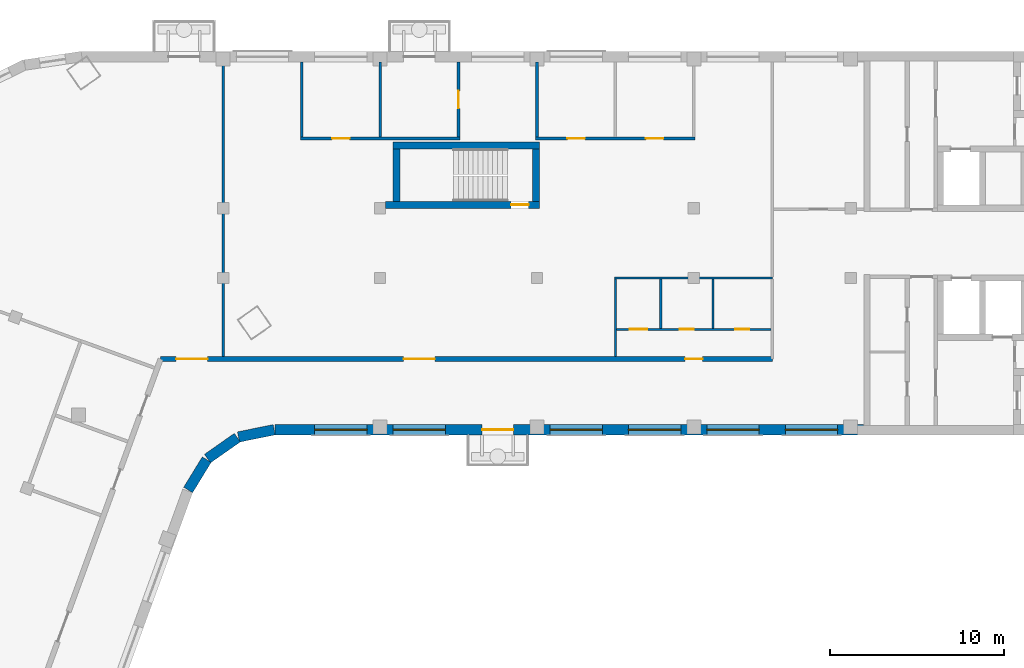
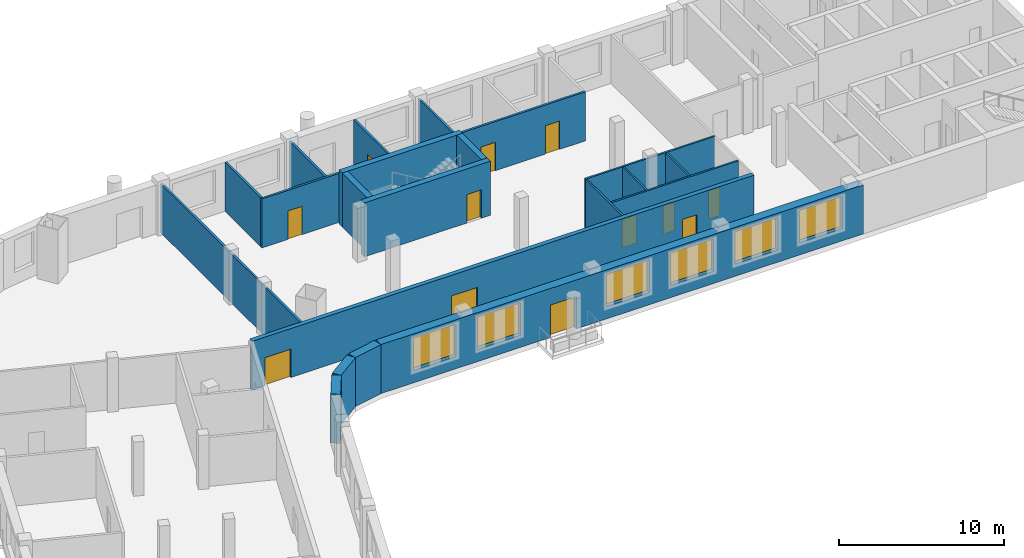
# One storey, part 4 of 10: 21 walls, 12 doors, 6 windows, 18 openings.
"""IFC4 building model written with IfcOpenShell, lengths in metres."""

from ifc_helpers import new_model, si_unit, direction, frame, frame_2d, origin, place, context, subcontext, project, spatial, rectangle, extrude, material, layer, layer_set, type_object, element, fill, save


model = new_model("IFC4")

# Units and contexts
model_context = context("Model", 3, precision=1e-05, world=origin(), true_north=direction((0.0, 1.0)))
body_context = subcontext(model_context, "Body", "Model", "MODEL_VIEW")
ifc_project = project(units=[si_unit("LENGTHUNIT", "METRE"), si_unit("AREAUNIT", "SQUARE_METRE"), si_unit("VOLUMEUNIT", "CUBIC_METRE"), si_unit("PLANEANGLEUNIT", "RADIAN"), si_unit("MASSUNIT", "GRAM", prefix="KILO")], contexts=[model_context])

# Site, building, storey
site_placement = place(None, origin())
site = spatial("IfcSite", under=ifc_project, at=site_placement, CompositionType="ELEMENT")
building_placement = place(site_placement, origin())
building = spatial("IfcBuilding", under=site, at=building_placement, Name="Skarvind Civic Tower", CompositionType="ELEMENT")
storey_placement = place(building_placement, frame((0.0, 0.0, 166.5)))
storey = spatial("IfcBuildingStorey", under=building, at=storey_placement, Name="L39", CompositionType="ELEMENT", Elevation=166.5)

# Wall, openings, doors
ifc_material_1 = material(Name="Fire-rated gypsum board on steel studs", Category="steel")
ifc_layer_1 = layer(ifc_material_1, 0.300048828125)
ifc_layer_set_1 = layer_set([ifc_layer_1], Name="CORRIDOR WALL 300")
wall_type_1 = type_object("IfcWallType", Name="CORRIDOR WALL 300", PredefinedType="PARTITIONING", material=ifc_layer_set_1)
wall_1_placement = place(storey_placement, frame((50.656982421875, 121.35009765625, 0.0), z_axis=(0.0, 0.0, 1.0), x_axis=(1.0, 0.0, 0.0)))
wall_1 = element("IfcWall", 1, at=wall_1_placement, inside=storey, type_object=wall_type_1, Name="Partition 39.014", PredefinedType="PARTITIONING", context=body_context, shape_type="SweptSolid", body=[
    extrude(rectangle(XDim=35.095947265625, YDim=0.300048828125, at=frame_2d((17.5478515625, 0.0))), origin(), (0.0, 0.0, 1.0), 3.625),
])
opening_1_placement = place(wall_1_placement, frame((30.093017578125, 0.0, 0.0)))
opening_1 = element("IfcOpeningElement", 2, at=opening_1_placement, cuts=wall_1, Name="Opening L39-D002", PredefinedType="OPENING", context=body_context, shape_type="SweptSolid", body=[
    extrude(rectangle(XDim=1.0, YDim=2.10009765625, at=frame_2d((0.5, 1.050048828125))), frame((0.0, 0.159912109375, 0.0), z_axis=(0.0, -1.0, 0.0), x_axis=(1.0, 0.0, 0.0)), (0.0, 0.0, 1.0), 0.320068359375),
])
opening_2_placement = place(wall_1_placement, frame((13.943115234375, 0.0, 0.0)))
opening_2 = element("IfcOpeningElement", 3, at=opening_2_placement, cuts=wall_1, Name="Opening L39-D010", PredefinedType="OPENING", context=body_context, shape_type="SweptSolid", body=[
    extrude(rectangle(XDim=1.800048828125, YDim=2.10009765625, at=frame_2d((0.89990234375, 1.050048828125))), frame((0.0, 0.159912109375, 0.0), z_axis=(0.0, -1.0, 0.0), x_axis=(1.0, 0.0, 0.0)), (0.0, 0.0, 1.0), 0.320068359375),
])
opening_3_placement = place(wall_1_placement, frame((0.89599609375, 0.0, 0.0)))
opening_3 = element("IfcOpeningElement", 4, at=opening_3_placement, cuts=wall_1, Name="Opening L39-D017", PredefinedType="OPENING", context=body_context, shape_type="SweptSolid", body=[
    extrude(rectangle(XDim=1.800048828125, YDim=2.10009765625, at=frame_2d((0.89990234375, 1.050048828125))), frame((0.0, 0.159912109375, 0.0), z_axis=(0.0, -1.0, 0.0), x_axis=(1.0, 0.0, 0.0)), (0.0, 0.0, 1.0), 0.320068359375),
])
ifc_material_2 = material(Name="Fire-rated timber door leaf", Category="wood")
door_type_1 = type_object("IfcDoorType", Name="FD1 1000x2100", OperationType="NOTDEFINED", PredefinedType="DOOR", material=ifc_material_2)
door_1_placement = place(opening_1_placement, origin())
door_1 = element("IfcDoor", 5, at=door_1_placement, inside=storey, type_object=door_type_1, Name="Door L39-D002", OperationType="SINGLE_SWING_LEFT", OverallHeight=2.10009765625, OverallWidth=1.0, PredefinedType="DOOR", context=body_context, shape_type="SweptSolid", body=[
    extrude(rectangle(XDim=1.0, YDim=2.10009765625, at=frame_2d((0.5, 1.050048828125))), frame((0.0, 0.02490234375, 0.0), z_axis=(0.0, -1.0, 0.0), x_axis=(1.0, 0.0, 0.0)), (0.0, 0.0, 1.0), 0.050048828125),
])
fill(opening_1, door_1)
door_type_2 = type_object("IfcDoorType", Name="FD4 1800x2100", OperationType="NOTDEFINED", PredefinedType="DOOR", material=ifc_material_2)
door_2_placement = place(opening_2_placement, origin())
door_2 = element("IfcDoor", 6, at=door_2_placement, inside=storey, type_object=door_type_2, Name="Door L39-D010", OperationType="DOUBLE_DOOR_SINGLE_SWING", OverallHeight=2.10009765625, OverallWidth=1.800048828125, PredefinedType="DOOR", context=body_context, shape_type="SweptSolid", body=[
    extrude(rectangle(XDim=1.800048828125, YDim=2.10009765625, at=frame_2d((0.89990234375, 1.050048828125))), frame((0.0, 0.02490234375, 0.0), z_axis=(0.0, -1.0, 0.0), x_axis=(1.0, 0.0, 0.0)), (0.0, 0.0, 1.0), 0.050048828125),
])
fill(opening_2, door_2)
door_3_placement = place(opening_3_placement, origin())
door_3 = element("IfcDoor", 7, at=door_3_placement, inside=storey, type_object=door_type_2, Name="Door L39-D017", OperationType="DOUBLE_DOOR_SINGLE_SWING", OverallHeight=2.10009765625, OverallWidth=1.800048828125, PredefinedType="DOOR", context=body_context, shape_type="SweptSolid", body=[
    extrude(rectangle(XDim=1.800048828125, YDim=2.10009765625, at=frame_2d((0.89990234375, 1.050048828125))), frame((0.0, 0.02490234375, 0.0), z_axis=(0.0, -1.0, 0.0), x_axis=(1.0, 0.0, 0.0)), (0.0, 0.0, 1.0), 0.050048828125),
])
fill(opening_3, door_3)

# Wall, opening, door
ifc_material_3 = material(Name="Concrete C60", Category="concrete")
ifc_layer_2 = layer(ifc_material_3, 0.39990234375)
ifc_layer_set_2 = layer_set([ifc_layer_2], Name="Core wall 400 C60")
wall_type_2 = type_object("IfcWallType", Name="Core wall 400 C60", PredefinedType="SHEAR", material=ifc_layer_set_2)
wall_2_placement = place(storey_placement, frame((63.574951171875, 130.199951171875, 0.0), z_axis=(0.0, 0.0, 1.0), x_axis=(1.0, 0.0, 0.0)))
wall_2 = element("IfcWall", 8, at=wall_2_placement, inside=storey, type_object=wall_type_2, Name="Core wall CM inner L39", PredefinedType="SHEAR", context=body_context, shape_type="SweptSolid", body=[
    extrude(rectangle(XDim=8.824951171875, YDim=0.39990234375, at=frame_2d((4.41259765625, 0.0))), origin(), (0.0, 0.0, 1.0), 4.0),
])
opening_4_placement = place(wall_2_placement, frame((7.199951171875, 0.0, 0.0)))
opening_4 = element("IfcOpeningElement", 9, at=opening_4_placement, cuts=wall_2, Name="Opening D-L39-CM-01", PredefinedType="OPENING", context=body_context, shape_type="SweptSolid", body=[
    extrude(rectangle(XDim=1.0, YDim=2.10009765625, at=frame_2d((0.5, 1.050048828125))), frame((0.0, 0.2099609375, 0.0), z_axis=(0.0, -1.0, 0.0), x_axis=(1.0, 0.0, 0.0)), (0.0, 0.0, 1.0), 0.419921875),
])
ifc_material_4 = material(Name="Fire-rated steel door", Category="steel")
door_type_3 = type_object("IfcDoorType", Name="Fire door 1000", OperationType="NOTDEFINED", PredefinedType="DOOR", material=ifc_material_4)
door_4_placement = place(opening_4_placement, origin())
door_4 = element("IfcDoor", 10, at=door_4_placement, inside=storey, type_object=door_type_3, Name="Fire door", OperationType="SINGLE_SWING_LEFT", OverallHeight=2.10009765625, OverallWidth=1.0, PredefinedType="DOOR", context=body_context, shape_type="SweptSolid", body=[
    extrude(rectangle(XDim=1.0, YDim=2.10009765625, at=frame_2d((0.5, 1.050048828125))), frame((0.0, 0.02490234375, 0.0), z_axis=(0.0, -1.0, 0.0), x_axis=(1.0, 0.0, 0.0)), (0.0, 0.0, 1.0), 0.050048828125),
])
fill(opening_4, door_4)

# Walls
wall_3_placement = place(storey_placement, frame((64.0, 133.60009765625, 0.0), z_axis=(0.0, 0.0, 1.0), x_axis=(1.0, 0.0, 0.0)))
element("IfcWall", 11, at=wall_3_placement, inside=storey, type_object=wall_type_2, Name="Core wall CM outer L39", PredefinedType="SHEAR", context=body_context, shape_type="SweptSolid", body=[
    extrude(rectangle(XDim=8.39990234375, YDim=0.39990234375, at=frame_2d((4.199951171875, 0.0))), origin(), (0.0, 0.0, 1.0), 4.0),
])
for number, where, z_axis, x_axis, name in (
    (12, (64.199951171875, 130.39990234375, 0.0), (0.0, 0.0, 1.0), (0.0, 1.0, 0.0), "Core wall CM west L39"),
    (13, (72.199951171875, 130.39990234375, 0.0), (0.0, 0.0, 1.0), (0.0, 1.0, 0.0), "Core wall CM end L39"),
):
    element("IfcWall", number, at=place(storey_placement, frame(where, z_axis=z_axis, x_axis=x_axis)), inside=storey, type_object=wall_type_2, Name=name, PredefinedType="SHEAR", context=body_context, shape_type="SweptSolid", body=[
        extrude(rectangle(XDim=3.0, YDim=0.39990234375, at=frame_2d((1.5, 0.0))), origin(), (0.0, 0.0, 1.0), 4.0),
    ])
ifc_material_5 = material(Name="Plasterboard partition on steel studs", Category="steel")
ifc_layer_3 = layer(ifc_material_5, 0.14990234375)
ifc_layer_set_3 = layer_set([ifc_layer_3], Name="PARTITION 150")
wall_type_3 = type_object("IfcWallType", Name="PARTITION 150", PredefinedType="PARTITIONING", material=ifc_layer_set_3)
wall_4_placement = place(storey_placement, frame((54.25, 138.39990234375, 0.0), z_axis=(0.0, 0.0, 1.0), x_axis=(0.0, -1.0, 0.0)))
element("IfcWall", 14, at=wall_4_placement, inside=storey, type_object=wall_type_3, Name="Partition 39.015", PredefinedType="PARTITIONING", context=body_context, shape_type="SweptSolid", body=[
    extrude(rectangle(XDim=16.89990234375, YDim=0.14990234375, at=frame_2d((8.449951171875, 0.0))), origin(), (0.0, 0.0, 1.0), 3.625),
])
wall_5_placement = place(storey_placement, frame((58.75, 134.074951171875, 0.0), z_axis=(0.0, 0.0, 1.0), x_axis=(0.0, 1.0, 0.0)))
element("IfcWall", 15, at=wall_5_placement, inside=storey, type_object=wall_type_3, Name="Partition 39.016", PredefinedType="PARTITIONING", context=body_context, shape_type="SweptSolid", body=[
    extrude(rectangle(XDim=4.324951171875, YDim=0.14990234375, at=frame_2d((2.16259765625, 0.0))), origin(), (0.0, 0.0, 1.0), 3.625),
])

# Wall, opening, door
wall_6_placement = place(storey_placement, frame((67.824951171875, 134.0, 0.0), z_axis=(0.0, 0.0, 1.0), x_axis=(-1.0, 0.0, 0.0)))
wall_6 = element("IfcWall", 16, at=wall_6_placement, inside=storey, type_object=wall_type_3, Name="Partition 39.017", PredefinedType="PARTITIONING", context=body_context, shape_type="SweptSolid", body=[
    extrude(rectangle(XDim=9.14990234375, YDim=0.14990234375, at=frame_2d((4.574951171875, 0.0))), origin(), (0.0, 0.0, 1.0), 3.625),
])
opening_5_placement = place(wall_6_placement, frame((6.324951171875, 0.0, 0.0)))
opening_5 = element("IfcOpeningElement", 17, at=opening_5_placement, cuts=wall_6, Name="Opening L39-D009", PredefinedType="OPENING", context=body_context, shape_type="SweptSolid", body=[
    extrude(rectangle(XDim=1.0, YDim=2.10009765625, at=frame_2d((0.5, 1.050048828125))), frame((0.0, 0.0849609375, 0.0), z_axis=(0.0, -1.0, 0.0), x_axis=(1.0, 0.0, 0.0)), (0.0, 0.0, 1.0), 0.169921875),
])
ifc_material_6 = material(Name="Timber door leaf", Category="wood")
door_type_4 = type_object("IfcDoorType", Name="D1 1000x2100", OperationType="NOTDEFINED", PredefinedType="DOOR", material=ifc_material_6)
door_5_placement = place(opening_5_placement, origin())
door_5 = element("IfcDoor", 18, at=door_5_placement, inside=storey, type_object=door_type_4, Name="Door L39-D009", OperationType="SINGLE_SWING_RIGHT", OverallHeight=2.10009765625, OverallWidth=1.0, PredefinedType="DOOR", context=body_context, shape_type="SweptSolid", body=[
    extrude(rectangle(XDim=1.0, YDim=2.10009765625, at=frame_2d((0.5, 1.050048828125))), frame((0.0, 0.02490234375, 0.0), z_axis=(0.0, -1.0, 0.0), x_axis=(1.0, 0.0, 0.0)), (0.0, 0.0, 1.0), 0.050048828125),
])
fill(opening_5, door_5)

# Wall
wall_7_placement = place(storey_placement, frame((63.25, 134.074951171875, 0.0), z_axis=(0.0, 0.0, 1.0), x_axis=(0.0, 1.0, 0.0)))
element("IfcWall", 19, at=wall_7_placement, inside=storey, type_object=wall_type_3, Name="Partition 39.018", PredefinedType="PARTITIONING", context=body_context, shape_type="SweptSolid", body=[
    extrude(rectangle(XDim=4.324951171875, YDim=0.14990234375, at=frame_2d((2.16259765625, 0.0))), origin(), (0.0, 0.0, 1.0), 3.625),
])

# Wall, opening, door
wall_8_placement = place(storey_placement, frame((67.75, 138.39990234375, 0.0), z_axis=(0.0, 0.0, 1.0), x_axis=(0.0, -1.0, 0.0)))
wall_8 = element("IfcWall", 20, at=wall_8_placement, inside=storey, type_object=wall_type_3, Name="Partition 39.019", PredefinedType="PARTITIONING", context=body_context, shape_type="SweptSolid", body=[
    extrude(rectangle(XDim=4.324951171875, YDim=0.14990234375, at=frame_2d((2.16259765625, 0.0))), origin(), (0.0, 0.0, 1.0), 3.625),
])
opening_6_placement = place(wall_8_placement, frame((1.672607421875, 0.0, 0.0)))
opening_6 = element("IfcOpeningElement", 21, at=opening_6_placement, cuts=wall_8, Name="Opening L39-D008", PredefinedType="OPENING", context=body_context, shape_type="SweptSolid", body=[
    extrude(rectangle(XDim=1.0, YDim=2.10009765625, at=frame_2d((0.5, 1.050048828125))), frame((0.0, 0.0849609375, 0.0), z_axis=(0.0, -1.0, 0.0), x_axis=(1.0, 0.0, 0.0)), (0.0, 0.0, 1.0), 0.169921875),
])
door_6_placement = place(opening_6_placement, origin())
door_6 = element("IfcDoor", 22, at=door_6_placement, inside=storey, type_object=door_type_4, Name="Door L39-D008", OperationType="SINGLE_SWING_LEFT", OverallHeight=2.10009765625, OverallWidth=1.0, PredefinedType="DOOR", context=body_context, shape_type="SweptSolid", body=[
    extrude(rectangle(XDim=1.0, YDim=2.10009765625, at=frame_2d((0.5, 1.050048828125))), frame((0.0, 0.02490234375, 0.0), z_axis=(0.0, -1.0, 0.0), x_axis=(1.0, 0.0, 0.0)), (0.0, 0.0, 1.0), 0.050048828125),
])
fill(opening_6, door_6)

# Wall
wall_9_placement = place(storey_placement, frame((72.25, 134.074951171875, 0.0), z_axis=(0.0, 0.0, 1.0), x_axis=(0.0, 1.0, 0.0)))
element("IfcWall", 23, at=wall_9_placement, inside=storey, type_object=wall_type_3, Name="Partition 39.020", PredefinedType="PARTITIONING", context=body_context, shape_type="SweptSolid", body=[
    extrude(rectangle(XDim=4.324951171875, YDim=0.14990234375, at=frame_2d((2.16259765625, 0.0))), origin(), (0.0, 0.0, 1.0), 3.625),
])

# Wall, openings, doors
wall_10_placement = place(storey_placement, frame((81.324951171875, 134.0, 0.0), z_axis=(0.0, 0.0, 1.0), x_axis=(-1.0, 0.0, 0.0)))
wall_10 = element("IfcWall", 24, at=wall_10_placement, inside=storey, type_object=wall_type_3, Name="Partition 39.021", PredefinedType="PARTITIONING", context=body_context, shape_type="SweptSolid", body=[
    extrude(rectangle(XDim=9.14990234375, YDim=0.14990234375, at=frame_2d((4.574951171875, 0.0))), origin(), (0.0, 0.0, 1.0), 3.625),
])
opening_7_placement = place(wall_10_placement, frame((1.824951171875, 0.0, 0.0)))
opening_7 = element("IfcOpeningElement", 25, at=opening_7_placement, cuts=wall_10, Name="Opening L39-D006", PredefinedType="OPENING", context=body_context, shape_type="SweptSolid", body=[
    extrude(rectangle(XDim=1.0, YDim=2.10009765625, at=frame_2d((0.5, 1.050048828125))), frame((0.0, 0.0849609375, 0.0), z_axis=(0.0, -1.0, 0.0), x_axis=(1.0, 0.0, 0.0)), (0.0, 0.0, 1.0), 0.169921875),
])
opening_8_placement = place(wall_10_placement, frame((6.324951171875, 0.0, 0.0)))
opening_8 = element("IfcOpeningElement", 26, at=opening_8_placement, cuts=wall_10, Name="Opening L39-D007", PredefinedType="OPENING", context=body_context, shape_type="SweptSolid", body=[
    extrude(rectangle(XDim=1.0, YDim=2.10009765625, at=frame_2d((0.5, 1.050048828125))), frame((0.0, 0.0849609375, 0.0), z_axis=(0.0, -1.0, 0.0), x_axis=(1.0, 0.0, 0.0)), (0.0, 0.0, 1.0), 0.169921875),
])
door_7_placement = place(opening_7_placement, origin())
door_7 = element("IfcDoor", 27, at=door_7_placement, inside=storey, type_object=door_type_4, Name="Door L39-D006", OperationType="SINGLE_SWING_LEFT", OverallHeight=2.10009765625, OverallWidth=1.0, PredefinedType="DOOR", context=body_context, shape_type="SweptSolid", body=[
    extrude(rectangle(XDim=1.0, YDim=2.10009765625, at=frame_2d((0.5, 1.050048828125))), frame((0.0, 0.02490234375, 0.0), z_axis=(0.0, -1.0, 0.0), x_axis=(1.0, 0.0, 0.0)), (0.0, 0.0, 1.0), 0.050048828125),
])
fill(opening_7, door_7)
door_8_placement = place(opening_8_placement, origin())
door_8 = element("IfcDoor", 28, at=door_8_placement, inside=storey, type_object=door_type_4, Name="Door L39-D007", OperationType="SINGLE_SWING_RIGHT", OverallHeight=2.10009765625, OverallWidth=1.0, PredefinedType="DOOR", context=body_context, shape_type="SweptSolid", body=[
    extrude(rectangle(XDim=1.0, YDim=2.10009765625, at=frame_2d((0.5, 1.050048828125))), frame((0.0, 0.02490234375, 0.0), z_axis=(0.0, -1.0, 0.0), x_axis=(1.0, 0.0, 0.0)), (0.0, 0.0, 1.0), 0.050048828125),
])
fill(opening_8, door_8)

# Wall
ifc_material_7 = material(Name="Moisture-resistant gypsum board on steel studs", Category="steel")
ifc_layer_4 = layer(ifc_material_7, 0.125)
ifc_layer_set_4 = layer_set([ifc_layer_4], Name="WC PARTITION 125")
wall_type_4 = type_object("IfcWallType", Name="WC PARTITION 125", PredefinedType="PARTITIONING", material=ifc_layer_set_4)
wall_11_placement = place(storey_placement, frame((76.75, 121.5, 0.0), z_axis=(0.0, 0.0, 1.0), x_axis=(0.0, 1.0, 0.0)))
element("IfcWall", 29, at=wall_11_placement, inside=storey, type_object=wall_type_4, Name="Partition 39.022", PredefinedType="PARTITIONING", context=body_context, shape_type="SweptSolid", body=[
    extrude(rectangle(XDim=4.43798828125, YDim=0.125, at=frame_2d((2.218994140625, 0.0))), origin(), (0.0, 0.0, 1.0), 3.625),
])

# Wall, openings, doors
wall_12_placement = place(storey_placement, frame((76.81201171875, 123.050048828125, 0.0), z_axis=(0.0, 0.0, 1.0), x_axis=(1.0, 0.0, 0.0)))
wall_12 = element("IfcWall", 30, at=wall_12_placement, inside=storey, type_object=wall_type_4, Name="Partition 39.023", PredefinedType="PARTITIONING", context=body_context, shape_type="SweptSolid", body=[
    extrude(rectangle(XDim=8.8759765625, YDim=0.125, at=frame_2d((4.43798828125, 0.0))), origin(), (0.0, 0.0, 1.0), 3.625),
])
opening_9_placement = place(wall_12_placement, frame((6.81689453125, 0.0, 0.0)))
opening_9 = element("IfcOpeningElement", 31, at=opening_9_placement, cuts=wall_12, Name="Opening L39-D003", PredefinedType="OPENING", context=body_context, shape_type="SweptSolid", body=[
    extrude(rectangle(XDim=0.800048828125, YDim=2.10009765625, at=frame_2d((0.39990234375, 1.050048828125))), frame((0.0, 0.072509765625, 0.0), z_axis=(0.0, -1.0, 0.0), x_axis=(1.0, 0.0, 0.0)), (0.0, 0.0, 1.0), 0.14501953125),
])
opening_10_placement = place(wall_12_placement, frame((3.637939453125, 0.0, 0.0)))
opening_10 = element("IfcOpeningElement", 32, at=opening_10_placement, cuts=wall_12, Name="Opening L39-D004", PredefinedType="OPENING", context=body_context, shape_type="SweptSolid", body=[
    extrude(rectangle(XDim=0.800048828125, YDim=2.10009765625, at=frame_2d((0.39990234375, 1.050048828125))), frame((0.0, 0.072509765625, 0.0), z_axis=(0.0, -1.0, 0.0), x_axis=(1.0, 0.0, 0.0)), (0.0, 0.0, 1.0), 0.14501953125),
])
opening_11_placement = place(wall_12_placement, frame((0.759033203125, 0.0, 0.0)))
opening_11 = element("IfcOpeningElement", 33, at=opening_11_placement, cuts=wall_12, Name="Opening L39-D005", PredefinedType="OPENING", context=body_context, shape_type="SweptSolid", body=[
    extrude(rectangle(XDim=1.0, YDim=2.10009765625, at=frame_2d((0.5, 1.050048828125))), frame((0.0, 0.072509765625, 0.0), z_axis=(0.0, -1.0, 0.0), x_axis=(1.0, 0.0, 0.0)), (0.0, 0.0, 1.0), 0.14501953125),
])
door_9_placement = place(opening_11_placement, origin())
door_9 = element("IfcDoor", 34, at=door_9_placement, inside=storey, type_object=door_type_4, Name="Door L39-D005", OperationType="SINGLE_SWING_LEFT", OverallHeight=2.10009765625, OverallWidth=1.0, PredefinedType="DOOR", context=body_context, shape_type="SweptSolid", body=[
    extrude(rectangle(XDim=1.0, YDim=2.10009765625, at=frame_2d((0.5, 1.050048828125))), frame((0.0, 0.02490234375, 0.0), z_axis=(0.0, -1.0, 0.0), x_axis=(1.0, 0.0, 0.0)), (0.0, 0.0, 1.0), 0.050048828125),
])
fill(opening_11, door_9)
door_type_5 = type_object("IfcDoorType", Name="DOOR 800X2100 TIMBER", OperationType="NOTDEFINED", PredefinedType="DOOR", material=ifc_material_6)
door_10_placement = place(opening_9_placement, origin())
door_10 = element("IfcDoor", 35, at=door_10_placement, inside=storey, type_object=door_type_5, Name="Door L39-D003", OperationType="SINGLE_SWING_RIGHT", OverallHeight=2.10009765625, OverallWidth=0.800048828125, PredefinedType="DOOR", context=body_context, shape_type="SweptSolid", body=[
    extrude(rectangle(XDim=0.800048828125, YDim=2.10009765625, at=frame_2d((0.39990234375, 1.050048828125))), frame((0.0, 0.02490234375, 0.0), z_axis=(0.0, -1.0, 0.0), x_axis=(1.0, 0.0, 0.0)), (0.0, 0.0, 1.0), 0.050048828125),
])
fill(opening_9, door_10)
door_11_placement = place(opening_10_placement, origin())
door_11 = element("IfcDoor", 36, at=door_11_placement, inside=storey, type_object=door_type_5, Name="Door L39-D004", OperationType="SINGLE_SWING_LEFT", OverallHeight=2.10009765625, OverallWidth=0.800048828125, PredefinedType="DOOR", context=body_context, shape_type="SweptSolid", body=[
    extrude(rectangle(XDim=0.800048828125, YDim=2.10009765625, at=frame_2d((0.39990234375, 1.050048828125))), frame((0.0, 0.02490234375, 0.0), z_axis=(0.0, -1.0, 0.0), x_axis=(1.0, 0.0, 0.0)), (0.0, 0.0, 1.0), 0.050048828125),
])
fill(opening_10, door_11)

# Walls
wall_13_placement = place(storey_placement, frame((76.68798828125, 126.0, 0.0), z_axis=(0.0, 0.0, 1.0), x_axis=(1.0, 0.0, 0.0)))
element("IfcWall", 37, at=wall_13_placement, inside=storey, type_object=wall_type_4, Name="Partition 39.024", PredefinedType="PARTITIONING", context=body_context, shape_type="SweptSolid", body=[
    extrude(rectangle(XDim=9.06201171875, YDim=0.125, at=frame_2d((4.531005859375, 0.0))), origin(), (0.0, 0.0, 1.0), 3.625),
])
for number, where, z_axis, x_axis, name in (
    (38, (79.35009765625, 125.93798828125, 0.0), (0.0, 0.0, 1.0), (0.0, -1.0, 0.0), "Partition 39.026"),
    (39, (82.35009765625, 125.93798828125, 0.0), (0.0, 0.0, 1.0), (0.0, -1.0, 0.0), "Partition 39.028"),
):
    element("IfcWall", number, at=place(storey_placement, frame(where, z_axis=z_axis, x_axis=x_axis)), inside=storey, type_object=wall_type_4, Name=name, PredefinedType="PARTITIONING", context=body_context, shape_type="SweptSolid", body=[
        extrude(rectangle(XDim=2.825927734375, YDim=0.125, at=frame_2d((1.4130859375, 0.0))), origin(), (0.0, 0.0, 1.0), 3.625),
    ])
ifc_material_8 = material(Name="Limestone masonry cladding on insulated backing", Category="masonry")
ifc_layer_5 = layer(ifc_material_8, 0.60009765625)
ifc_layer_set_5 = layer_set([ifc_layer_5], Name="WX1 STONE FACADE WALL 600")
wall_type_5 = type_object("IfcWallType", Name="WX1 STONE FACADE WALL 600", PredefinedType="SOLIDWALL", material=ifc_layer_set_5)
wall_14_placement = place(storey_placement, frame((53.30517578125, 115.578369140625, 0.0), z_axis=(0.0, 0.0, 1.0), x_axis=(-0.522402266438, -0.852699168535, 0.0)))
element("IfcWall", 40, at=wall_14_placement, inside=storey, type_object=wall_type_5, Name="STONE FACADE WALL", PredefinedType="SOLIDWALL", context=body_context, shape_type="SweptSolid", body=[
    extrude(rectangle(XDim=2.042236328125, YDim=0.60009765625, at=frame_2d((1.02099609375, 0.0))), origin(), (0.0, 0.0, 1.0), 3.625),
])
for number, where, z_axis, x_axis, name in (
    (41, (55.061767578125, 116.8388671875, 0.0), (0.0, 0.0, 1.0), (-0.819122269495, -0.573618956815, 0.0), "STONE FACADE WALL"),
    (42, (57.17529296875, 117.2939453125, 0.0), (0.0, 0.0, 1.0), (-0.97996099083, -0.19918949885, 0.0), "STONE FACADE WALL"),
):
    element("IfcWall", number, at=place(storey_placement, frame(where, z_axis=z_axis, x_axis=x_axis)), inside=storey, type_object=wall_type_5, Name=name, PredefinedType="SOLIDWALL", context=body_context, shape_type="SweptSolid", body=[
        extrude(rectangle(XDim=2.09228515625, YDim=0.60009765625, at=frame_2d((1.046142578125, 0.0))), origin(), (0.0, 0.0, 1.0), 3.625),
    ])

# Wall, openings, door, windows
wall_15_placement = place(storey_placement, frame((90.97998046875, 117.300048828125, 0.0), z_axis=(0.0, 0.0, 1.0), x_axis=(-1.0, 0.0, 0.0)))
wall_15 = element("IfcWall", 43, at=wall_15_placement, inside=storey, type_object=wall_type_5, Name="STONE FACADE WALL", PredefinedType="SOLIDWALL", context=body_context, shape_type="SweptSolid", body=[
    extrude(rectangle(XDim=33.744873046875, YDim=0.60009765625, at=frame_2d((16.87255859375, 0.0))), origin(), (0.0, 0.0, 1.0), 3.625),
])
opening_12_placement = place(wall_15_placement, frame((1.47998046875, 0.0, 0.89990234375)))
opening_12 = element("IfcOpeningElement", 44, at=opening_12_placement, cuts=wall_15, Name="Opening WN1", PredefinedType="OPENING", context=body_context, shape_type="SweptSolid", body=[
    extrude(rectangle(XDim=3.0, YDim=2.39990234375, at=frame_2d((1.5, 1.199951171875))), frame((0.0, 0.31005859375, 0.0), z_axis=(0.0, -1.0, 0.0), x_axis=(1.0, 0.0, 0.0)), (0.0, 0.0, 1.0), 0.6201171875),
])
opening_13_placement = place(wall_15_placement, frame((5.97998046875, 0.0, 0.89990234375)))
opening_13 = element("IfcOpeningElement", 45, at=opening_13_placement, cuts=wall_15, Name="Opening WN1", PredefinedType="OPENING", context=body_context, shape_type="SweptSolid", body=[
    extrude(rectangle(XDim=3.0, YDim=2.39990234375, at=frame_2d((1.5, 1.199951171875))), frame((0.0, 0.31005859375, 0.0), z_axis=(0.0, -1.0, 0.0), x_axis=(1.0, 0.0, 0.0)), (0.0, 0.0, 1.0), 0.6201171875),
])
opening_14_placement = place(wall_15_placement, frame((10.47998046875, 0.0, 0.89990234375)))
opening_14 = element("IfcOpeningElement", 46, at=opening_14_placement, cuts=wall_15, Name="Opening WN1", PredefinedType="OPENING", context=body_context, shape_type="SweptSolid", body=[
    extrude(rectangle(XDim=3.0, YDim=2.39990234375, at=frame_2d((1.5, 1.199951171875))), frame((0.0, 0.31005859375, 0.0), z_axis=(0.0, -1.0, 0.0), x_axis=(1.0, 0.0, 0.0)), (0.0, 0.0, 1.0), 0.6201171875),
])
opening_15_placement = place(wall_15_placement, frame((14.97998046875, 0.0, 0.89990234375)))
opening_15 = element("IfcOpeningElement", 47, at=opening_15_placement, cuts=wall_15, Name="Opening WN1", PredefinedType="OPENING", context=body_context, shape_type="SweptSolid", body=[
    extrude(rectangle(XDim=3.0, YDim=2.39990234375, at=frame_2d((1.5, 1.199951171875))), frame((0.0, 0.31005859375, 0.0), z_axis=(0.0, -1.0, 0.0), x_axis=(1.0, 0.0, 0.0)), (0.0, 0.0, 1.0), 0.6201171875),
])
opening_16_placement = place(wall_15_placement, frame((20.080078125, 0.0, 0.0)))
opening_16 = element("IfcOpeningElement", 48, at=opening_16_placement, cuts=wall_15, Name="Opening DX3", PredefinedType="OPENING", context=body_context, shape_type="SweptSolid", body=[
    extrude(rectangle(XDim=1.800048828125, YDim=2.39990234375, at=frame_2d((0.89990234375, 1.199951171875))), frame((0.0, 0.31005859375, 0.0), z_axis=(0.0, -1.0, 0.0), x_axis=(1.0, 0.0, 0.0)), (0.0, 0.0, 1.0), 0.6201171875),
])
opening_17_placement = place(wall_15_placement, frame((23.97998046875, 0.0, 0.89990234375)))
opening_17 = element("IfcOpeningElement", 49, at=opening_17_placement, cuts=wall_15, Name="Opening WN1", PredefinedType="OPENING", context=body_context, shape_type="SweptSolid", body=[
    extrude(rectangle(XDim=3.0, YDim=2.39990234375, at=frame_2d((1.5, 1.199951171875))), frame((0.0, 0.31005859375, 0.0), z_axis=(0.0, -1.0, 0.0), x_axis=(1.0, 0.0, 0.0)), (0.0, 0.0, 1.0), 0.6201171875),
])
opening_18_placement = place(wall_15_placement, frame((28.47998046875, 0.0, 0.89990234375)))
opening_18 = element("IfcOpeningElement", 50, at=opening_18_placement, cuts=wall_15, Name="Opening WN1", PredefinedType="OPENING", context=body_context, shape_type="SweptSolid", body=[
    extrude(rectangle(XDim=3.0, YDim=2.39990234375, at=frame_2d((1.5, 1.199951171875))), frame((0.0, 0.31005859375, 0.0), z_axis=(0.0, -1.0, 0.0), x_axis=(1.0, 0.0, 0.0)), (0.0, 0.0, 1.0), 0.6201171875),
])
ifc_material_9 = material(Name="Timber and glass doorset", Category="wood")
door_type_6 = type_object("IfcDoorType", Name="DX3 TERRACE DOORS 1800 x 2400", OperationType="NOTDEFINED", PredefinedType="DOOR", material=ifc_material_9)
door_12_placement = place(opening_16_placement, origin())
door_12 = element("IfcDoor", 51, at=door_12_placement, inside=storey, type_object=door_type_6, Name="TERRACE DOORS", OperationType="DOUBLE_DOOR_SINGLE_SWING", OverallHeight=2.39990234375, OverallWidth=1.800048828125, PredefinedType="DOOR", context=body_context, shape_type="SweptSolid", body=[
    extrude(rectangle(XDim=1.800048828125, YDim=2.39990234375, at=frame_2d((0.89990234375, 1.199951171875))), frame((0.0, 0.02490234375, 0.0), z_axis=(0.0, -1.0, 0.0), x_axis=(1.0, 0.0, 0.0)), (0.0, 0.0, 1.0), 0.050048828125),
])
fill(opening_16, door_12)
ifc_material_10 = material(Name="Timber frame, double glazing, timber-lined reveal", Category="wood")
window_type = type_object("IfcWindowType", Name="WN1 PUNCHED STONE WINDOW 3000 x 2400", PartitioningType="SINGLE_PANEL", PredefinedType="WINDOW", material=ifc_material_10)
window_1_placement = place(opening_12_placement, origin())
window_1 = element("IfcWindow", 52, at=window_1_placement, inside=storey, type_object=window_type, Name="WN1 WINDOW", OverallHeight=2.39990234375, OverallWidth=3.0, PartitioningType="SINGLE_PANEL", PredefinedType="WINDOW", context=body_context, shape_type="SweptSolid", body=[
    extrude(rectangle(XDim=3.0, YDim=2.39990234375, at=frame_2d((1.5, 1.199951171875))), frame((0.0, 0.030029296875, 0.0), z_axis=(0.0, -1.0, 0.0), x_axis=(1.0, 0.0, 0.0)), (0.0, 0.0, 1.0), 0.06005859375),
])
fill(opening_12, window_1)
window_2_placement = place(opening_13_placement, origin())
window_2 = element("IfcWindow", 53, at=window_2_placement, inside=storey, type_object=window_type, Name="WN1 WINDOW", OverallHeight=2.39990234375, OverallWidth=3.0, PartitioningType="SINGLE_PANEL", PredefinedType="WINDOW", context=body_context, shape_type="SweptSolid", body=[
    extrude(rectangle(XDim=3.0, YDim=2.39990234375, at=frame_2d((1.5, 1.199951171875))), frame((0.0, 0.030029296875, 0.0), z_axis=(0.0, -1.0, 0.0), x_axis=(1.0, 0.0, 0.0)), (0.0, 0.0, 1.0), 0.06005859375),
])
fill(opening_13, window_2)
window_3_placement = place(opening_14_placement, origin())
window_3 = element("IfcWindow", 54, at=window_3_placement, inside=storey, type_object=window_type, Name="WN1 WINDOW", OverallHeight=2.39990234375, OverallWidth=3.0, PartitioningType="SINGLE_PANEL", PredefinedType="WINDOW", context=body_context, shape_type="SweptSolid", body=[
    extrude(rectangle(XDim=3.0, YDim=2.39990234375, at=frame_2d((1.5, 1.199951171875))), frame((0.0, 0.030029296875, 0.0), z_axis=(0.0, -1.0, 0.0), x_axis=(1.0, 0.0, 0.0)), (0.0, 0.0, 1.0), 0.06005859375),
])
fill(opening_14, window_3)
window_4_placement = place(opening_15_placement, origin())
window_4 = element("IfcWindow", 55, at=window_4_placement, inside=storey, type_object=window_type, Name="WN1 WINDOW", OverallHeight=2.39990234375, OverallWidth=3.0, PartitioningType="SINGLE_PANEL", PredefinedType="WINDOW", context=body_context, shape_type="SweptSolid", body=[
    extrude(rectangle(XDim=3.0, YDim=2.39990234375, at=frame_2d((1.5, 1.199951171875))), frame((0.0, 0.030029296875, 0.0), z_axis=(0.0, -1.0, 0.0), x_axis=(1.0, 0.0, 0.0)), (0.0, 0.0, 1.0), 0.06005859375),
])
fill(opening_15, window_4)
window_5_placement = place(opening_17_placement, origin())
window_5 = element("IfcWindow", 56, at=window_5_placement, inside=storey, type_object=window_type, Name="WN1 WINDOW", OverallHeight=2.39990234375, OverallWidth=3.0, PartitioningType="SINGLE_PANEL", PredefinedType="WINDOW", context=body_context, shape_type="SweptSolid", body=[
    extrude(rectangle(XDim=3.0, YDim=2.39990234375, at=frame_2d((1.5, 1.199951171875))), frame((0.0, 0.030029296875, 0.0), z_axis=(0.0, -1.0, 0.0), x_axis=(1.0, 0.0, 0.0)), (0.0, 0.0, 1.0), 0.06005859375),
])
fill(opening_17, window_5)
window_6_placement = place(opening_18_placement, origin())
window_6 = element("IfcWindow", 57, at=window_6_placement, inside=storey, type_object=window_type, Name="WN1 WINDOW", OverallHeight=2.39990234375, OverallWidth=3.0, PartitioningType="SINGLE_PANEL", PredefinedType="WINDOW", context=body_context, shape_type="SweptSolid", body=[
    extrude(rectangle(XDim=3.0, YDim=2.39990234375, at=frame_2d((1.5, 1.199951171875))), frame((0.0, 0.030029296875, 0.0), z_axis=(0.0, -1.0, 0.0), x_axis=(1.0, 0.0, 0.0)), (0.0, 0.0, 1.0), 0.06005859375),
])
fill(opening_18, window_6)

save(model, "model.ifc")
